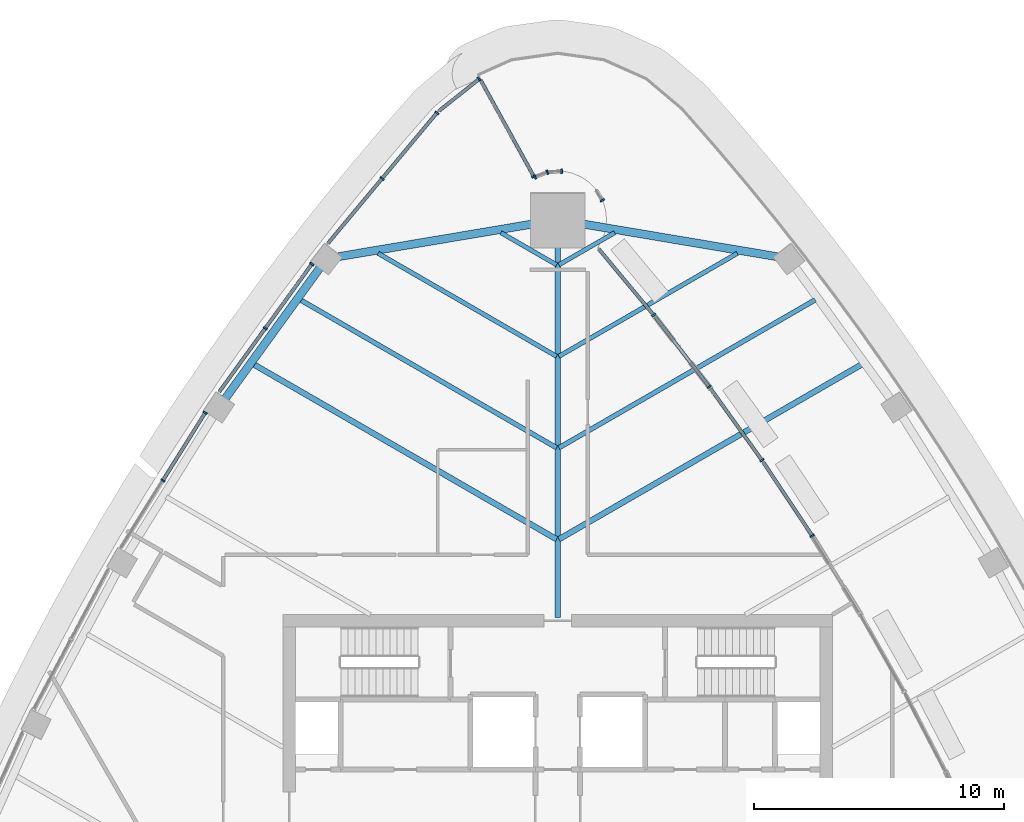
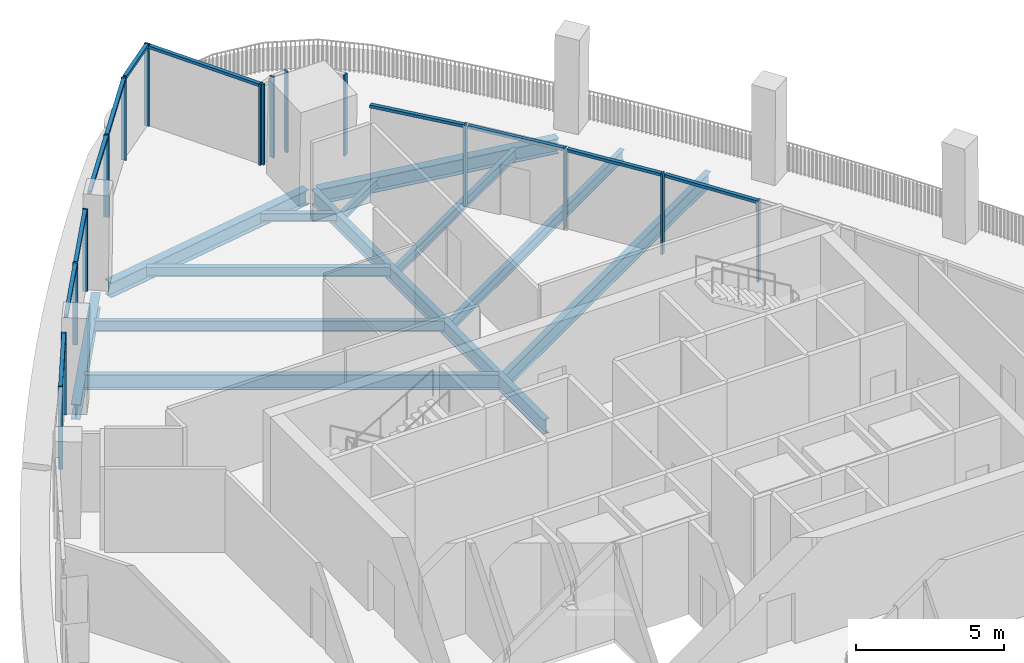
# One storey, part 6 of 18: 27 members, 12 beams, 12 elements without a shape of their own.
"""IFC4 building model written with IfcOpenShell, lengths in metres."""

from ifc_helpers import new_model, si_unit, direction, frame, origin, origin_2d, place, context, subcontext, project, spatial, rectangle, i_section, extrude, material, layer, layer_set, material_profile, profile_set, type_object, element, aggregate, save


model = new_model("IFC4")

# Units and contexts
model_context = context("Model", 3, precision=1e-05, world=origin(), true_north=direction((0.0, 1.0)))
body_context = subcontext(model_context, "Body", "Model", "MODEL_VIEW")
ifc_project = project(units=[si_unit("LENGTHUNIT", "METRE"), si_unit("AREAUNIT", "SQUARE_METRE"), si_unit("VOLUMEUNIT", "CUBIC_METRE"), si_unit("PLANEANGLEUNIT", "RADIAN"), si_unit("MASSUNIT", "GRAM", prefix="KILO")], contexts=[model_context])

# Site, building, storey
site_placement = place(None, origin())
site = spatial("IfcSite", under=ifc_project, at=site_placement, CompositionType="ELEMENT")
building_placement = place(site_placement, origin())
building = spatial("IfcBuilding", under=site, at=building_placement, Name="Sierra Prisma Convention Tower", CompositionType="ELEMENT")
storey_placement = place(building_placement, frame((0.0, 0.0, 291.0)))
storey = spatial("IfcBuildingStorey", under=building, at=storey_placement, Name="L66", CompositionType="ELEMENT", Elevation=291.0)

# Curtain wall, member
ifc_material_1 = material(Name="Aluminium and glass curtain wall", Category="aluminium")
ifc_layer_1 = layer(ifc_material_1, 0.179931640625)
ifc_layer_set_1 = layer_set([ifc_layer_1], Name="CW-1 Plain shaft curtain wall")
curtain_wall_type_1 = type_object("IfcCurtainWallType", Name="CW-1 Plain shaft curtain wall", PredefinedType="NOTDEFINED", material=ifc_layer_set_1)
curtain_wall_1_placement = place(storey_placement, origin())
curtain_wall_1 = element("IfcCurtainWall", 1, at=curtain_wall_1_placement, inside=storey, type_object=curtain_wall_type_1, Name="CW-1 N5 L66", PredefinedType="NOTDEFINED")
ifc_material_2 = material(Name="Aluminium 6063-T6 bronze anodised", Category="aluminium")
ifc_material_profile_1 = material_profile(ifc_material_2, rectangle(XDim=0.179931640625, YDim=0.070068359375, at=origin_2d()), Name="ALU MULLION 70x180")
ifc_profile_set_1 = profile_set([ifc_material_profile_1], Name="Aluminium 6063-T6 bronze anodised")
member_type_1 = type_object("IfcMemberType", Name="CW mullion bronze", PredefinedType="MULLION", material=ifc_profile_set_1)
member_1_placement = place(storey_placement, frame((-3.151611328125, 29.44970703125, 0.0), z_axis=(0.0, 0.0, 1.0), x_axis=(0.622999472433, -0.782222255723, 0.0)))
member_1 = element("IfcMember", 2, at=member_1_placement, type_object=member_type_1, Name="CW-1 mullion N5.1", PredefinedType="MULLION", context=body_context, shape_type="SweptSolid", body=[
    extrude(rectangle(XDim=0.179931640625, YDim=0.070068359375, at=origin_2d()), origin(), (0.0, 0.0, 1.0), 3.39990234375),
])

# Curtain wall, members
curtain_wall_2_placement = place(storey_placement, origin())
curtain_wall_2 = element("IfcCurtainWall", 3, at=curtain_wall_2_placement, inside=storey, type_object=curtain_wall_type_1, Name="CW-1 NW1 L66", PredefinedType="NOTDEFINED")
member_2_placement = place(storey_placement, frame((-4.839111328125, 28.0966796875, 0.0), z_axis=(0.0, 0.0, 1.0), x_axis=(0.767625647554, -0.64089848277, 0.0)))
member_2 = element("IfcMember", 4, at=member_2_placement, type_object=member_type_1, Name="CW-1 mullion NW1.1", PredefinedType="MULLION", context=body_context, shape_type="SweptSolid", body=[
    extrude(rectangle(XDim=0.179931640625, YDim=0.070068359375, at=origin_2d()), origin(), (0.0, 0.0, 1.0), 3.39990234375),
])
member_3_placement = place(storey_placement, frame((-7.033203125, 25.468994140625, 0.0), z_axis=(0.0, 0.0, 1.0), x_axis=(0.767625647554, -0.64089848277, 0.0)))
member_3 = element("IfcMember", 5, at=member_3_placement, type_object=member_type_1, Name="CW-1 mullion NW1.2", PredefinedType="MULLION", context=body_context, shape_type="SweptSolid", body=[
    extrude(rectangle(XDim=0.179931640625, YDim=0.070068359375, at=origin_2d()), origin(), (0.0, 0.0, 1.0), 3.39990234375),
])

curtain_wall_3_placement = place(storey_placement, origin())
curtain_wall_3 = element("IfcCurtainWall", 6, at=curtain_wall_3_placement, inside=storey, type_object=curtain_wall_type_1, Name="CW-1 NW2 L66", PredefinedType="NOTDEFINED")
member_4_placement = place(storey_placement, frame((-9.84814453125, 22.04052734375, 0.0), z_axis=(0.0, 0.0, 1.0), x_axis=(0.809884928448, -0.586588784987, 0.0)))
member_4 = element("IfcMember", 7, at=member_4_placement, type_object=member_type_1, Name="CW-1 mullion NW2.1", PredefinedType="MULLION", context=body_context, shape_type="SweptSolid", body=[
    extrude(rectangle(XDim=0.179931640625, YDim=0.070068359375, at=origin_2d()), origin(), (0.0, 0.0, 1.0), 3.39990234375),
])
member_5_placement = place(storey_placement, frame((-11.71142578125, 19.468017578125, 0.0), z_axis=(0.0, 0.0, 1.0), x_axis=(0.809884928448, -0.586588784987, 0.0)))
member_5 = element("IfcMember", 8, at=member_5_placement, type_object=member_type_1, Name="CW-1 mullion NW2.2", PredefinedType="MULLION", context=body_context, shape_type="SweptSolid", body=[
    extrude(rectangle(XDim=0.179931640625, YDim=0.070068359375, at=origin_2d()), origin(), (0.0, 0.0, 1.0), 3.39990234375),
])

curtain_wall_4_placement = place(storey_placement, origin())
curtain_wall_4 = element("IfcCurtainWall", 9, at=curtain_wall_4_placement, inside=storey, type_object=curtain_wall_type_1, Name="CW-1 NW3 L66", PredefinedType="NOTDEFINED")
member_6_placement = place(storey_placement, frame((-14.122314453125, 16.0810546875, 0.0), z_axis=(0.0, 0.0, 1.0), x_axis=(0.848309088273, -0.529501360482, 0.0)))
member_6 = element("IfcMember", 10, at=member_6_placement, type_object=member_type_1, Name="CW-1 mullion NW3.1", PredefinedType="MULLION", context=body_context, shape_type="SweptSolid", body=[
    extrude(rectangle(XDim=0.179931640625, YDim=0.070068359375, at=origin_2d()), origin(), (0.0, 0.0, 1.0), 3.39990234375),
])
member_7_placement = place(storey_placement, frame((-15.8125, 13.373046875, 0.0), z_axis=(0.0, 0.0, 1.0), x_axis=(0.848309088273, -0.529501360482, 0.0)))
member_7 = element("IfcMember", 11, at=member_7_placement, type_object=member_type_1, Name="CW-1 mullion NW3.2", PredefinedType="MULLION", context=body_context, shape_type="SweptSolid", body=[
    extrude(rectangle(XDim=0.179931640625, YDim=0.070068359375, at=origin_2d()), origin(), (0.0, 0.0, 1.0), 3.39990234375),
])

# Curtain wall, member
ifc_material_3 = material(Name="Aluminium and glass curtain wall", Category="aluminium")
ifc_layer_2 = layer(ifc_material_3, 0.179931640625)
ifc_layer_set_2 = layer_set([ifc_layer_2], Name="CW-6 Terrace recess curtain wall")
curtain_wall_type_2 = type_object("IfcCurtainWallType", Name="CW-6 Terrace recess curtain wall", PredefinedType="NOTDEFINED", material=ifc_layer_set_2)
curtain_wall_5_placement = place(storey_placement, origin())
curtain_wall_5 = element("IfcCurtainWall", 12, at=curtain_wall_5_placement, inside=storey, type_object=curtain_wall_type_2, Name="CW-6 R7 L66", PredefinedType="NOTDEFINED")
member_8_placement = place(storey_placement, frame((10.188720703125, 11.15869140625, 0.0), z_axis=(0.0, 0.0, 1.0), x_axis=(-0.832915219617, -0.553400611611, 0.0)))
member_8 = element("IfcMember", 13, at=member_8_placement, type_object=member_type_1, Name="CW-6 mullion R7.1", PredefinedType="MULLION", context=body_context, shape_type="SweptSolid", body=[
    extrude(rectangle(XDim=0.179931640625, YDim=0.070068359375, at=origin_2d()), origin(), (0.0, 0.0, 1.0), 3.340087890625),
])

curtain_wall_6_placement = place(storey_placement, origin())
curtain_wall_6 = element("IfcCurtainWall", 14, at=curtain_wall_6_placement, inside=storey, type_object=curtain_wall_type_2, Name="CW-6 R8 L66", PredefinedType="NOTDEFINED")
member_9_placement = place(storey_placement, frame((8.179443359375, 14.18017578125, 0.0), z_axis=(0.0, 0.0, 1.0), x_axis=(-0.812509820616, -0.582947503127, 0.0)))
member_9 = element("IfcMember", 15, at=member_9_placement, type_object=member_type_1, Name="CW-6 mullion R8.1", PredefinedType="MULLION", context=body_context, shape_type="SweptSolid", body=[
    extrude(rectangle(XDim=0.179931640625, YDim=0.070068359375, at=origin_2d()), origin(), (0.0, 0.0, 1.0), 3.340087890625),
])

curtain_wall_7_placement = place(storey_placement, origin())
curtain_wall_7 = element("IfcCurtainWall", 16, at=curtain_wall_7_placement, inside=storey, type_object=curtain_wall_type_2, Name="CW-6 R9 L66", PredefinedType="NOTDEFINED")
member_10_placement = place(storey_placement, frame((6.063232421875, 17.127685546875, 0.0), z_axis=(0.0, 0.0, 1.0), x_axis=(-0.791056772179, -0.611742742654, 0.0)))
member_10 = element("IfcMember", 17, at=member_10_placement, type_object=member_type_1, Name="CW-6 mullion R9.1", PredefinedType="MULLION", context=body_context, shape_type="SweptSolid", body=[
    extrude(rectangle(XDim=0.179931640625, YDim=0.070068359375, at=origin_2d()), origin(), (0.0, 0.0, 1.0), 3.340087890625),
])

curtain_wall_8_placement = place(storey_placement, origin())
curtain_wall_8 = element("IfcCurtainWall", 18, at=curtain_wall_8_placement, inside=storey, type_object=curtain_wall_type_2, Name="CW-6 R10 L66", PredefinedType="NOTDEFINED")
member_11_placement = place(storey_placement, frame((3.842529296875, 19.997314453125, 0.0), z_axis=(0.0, 0.0, 1.0), x_axis=(-0.768727033236, -0.639577007382, 0.0)))
member_11 = element("IfcMember", 19, at=member_11_placement, type_object=member_type_1, Name="CW-6 mullion R10.1", PredefinedType="MULLION", context=body_context, shape_type="SweptSolid", body=[
    extrude(rectangle(XDim=0.179931640625, YDim=0.070068359375, at=origin_2d()), origin(), (0.0, 0.0, 1.0), 3.340087890625),
])

curtain_wall_9_placement = place(storey_placement, origin())
curtain_wall_9 = element("IfcCurtainWall", 20, at=curtain_wall_9_placement, inside=storey, type_object=curtain_wall_type_2, Name="CW-6 R16 L66", PredefinedType="NOTDEFINED")
member_12_placement = place(storey_placement, frame((1.788818359375, 24.5908203125, 0.0), z_axis=(0.0, 0.0, 1.0), x_axis=(-0.85772861, -0.514102744193, 0.0)))
member_12 = element("IfcMember", 21, at=member_12_placement, type_object=member_type_1, Name="CW-6 mullion R16.1", PredefinedType="MULLION", context=body_context, shape_type="SweptSolid", body=[
    extrude(rectangle(XDim=0.179931640625, YDim=0.070068359375, at=origin_2d()), origin(), (0.0, 0.0, 1.0), 3.340087890625),
])
aggregate(curtain_wall_9, [member_12])

curtain_wall_10_placement = place(storey_placement, origin())
curtain_wall_10 = element("IfcCurtainWall", 22, at=curtain_wall_10_placement, inside=storey, type_object=curtain_wall_type_2, Name="CW-6 R21 L66", PredefinedType="NOTDEFINED")
member_13_placement = place(storey_placement, frame((0.15673828125, 25.7568359375, 0.0), z_axis=(0.0, 0.0, 1.0), x_axis=(0.049067674327, -0.998795456205, 0.0)))
member_13 = element("IfcMember", 23, at=member_13_placement, type_object=member_type_1, Name="CW-6 mullion R21.1", PredefinedType="MULLION", context=body_context, shape_type="SweptSolid", body=[
    extrude(rectangle(XDim=0.179931640625, YDim=0.070068359375, at=origin_2d()), origin(), (0.0, 0.0, 1.0), 3.340087890625),
])
aggregate(curtain_wall_10, [member_13])

# Curtain wall, members
curtain_wall_11_placement = place(storey_placement, origin())
curtain_wall_11 = element("IfcCurtainWall", 24, at=curtain_wall_11_placement, inside=storey, type_object=curtain_wall_type_2, Name="CW-6 R22 L66", PredefinedType="NOTDEFINED")
member_14_placement = place(storey_placement, frame((-0.414306640625, 25.718017578125, 0.0), z_axis=(0.0, 0.0, 1.0), x_axis=(0.357542988207, -0.933896681429, 0.0)))
member_14 = element("IfcMember", 25, at=member_14_placement, type_object=member_type_1, Name="CW-6 mullion R22.1", PredefinedType="MULLION", context=body_context, shape_type="SweptSolid", body=[
    extrude(rectangle(XDim=0.179931640625, YDim=0.070068359375, at=origin_2d()), origin(), (0.0, 0.0, 1.0), 3.340087890625),
])
member_15_placement = place(storey_placement, frame((-0.907958984375, 25.52880859375, 0.0), z_axis=(0.0, 0.0, 1.0), x_axis=(0.357542988207, -0.933896681429, 0.0)))
member_15 = element("IfcMember", 26, at=member_15_placement, type_object=member_type_1, Name="CW-6 mullion R22.2", PredefinedType="MULLION", context=body_context, shape_type="SweptSolid", body=[
    extrude(rectangle(XDim=0.179931640625, YDim=0.070068359375, at=origin_2d()), origin(), (0.0, 0.0, 1.0), 3.340087890625),
])
aggregate(curtain_wall_11, [member_14, member_15])

# Curtain wall, member
curtain_wall_12_placement = place(storey_placement, origin())
curtain_wall_12 = element("IfcCurtainWall", 27, at=curtain_wall_12_placement, inside=storey, type_object=curtain_wall_type_2, Name="CW-6 RT2 L66", PredefinedType="NOTDEFINED")
member_16_placement = place(storey_placement, frame((-0.95751953125, 25.547119140625, 0.0), z_axis=(0.0, 0.0, 1.0), x_axis=(-0.875450793272, -0.483307261026, 0.0)))
member_16 = element("IfcMember", 28, at=member_16_placement, type_object=member_type_1, Name="CW-6 mullion RT2.1", PredefinedType="MULLION", context=body_context, shape_type="SweptSolid", body=[
    extrude(rectangle(XDim=0.179931640625, YDim=0.070068359375, at=origin_2d()), origin(), (0.0, 0.0, 1.0), 3.340087890625),
])

# Member
ifc_material_4 = material(Name="Aluminium 6063-T6 bronze anodised", Category="aluminium")
ifc_material_profile_2 = material_profile(ifc_material_4, rectangle(XDim=0.139892578125, YDim=0.1201171875, at=origin_2d()), Name="ALU TRANSOM 120x140")
ifc_profile_set_2 = profile_set([ifc_material_profile_2], Name="Aluminium 6063-T6 bronze anodised")
member_type_2 = type_object("IfcMemberType", Name="CW transom bronze", PredefinedType="USERDEFINED", material=ifc_profile_set_2)
member_17_placement = place(storey_placement, frame((-3.178955078125, 29.427978515625, 3.340087890625), z_axis=(-0.782232240534, -0.622986935552, 0.0), x_axis=(0.622986935552, -0.782232240534, 0.0)))
member_17 = element("IfcMember", 29, at=member_17_placement, type_object=member_type_2, Name="CW-1 transom N5.1", ObjectType="TRANSOM", PredefinedType="USERDEFINED", context=body_context, shape_type="SweptSolid", body=[
    extrude(rectangle(XDim=0.139892578125, YDim=0.1201171875, at=origin_2d()), origin(), (0.0, 0.0, 1.0), 2.023681640625),
])

aggregate(curtain_wall_1, [member_1, member_17])

member_18_placement = place(storey_placement, frame((-4.861572265625, 28.06982421875, 3.340087890625), z_axis=(-0.640921724985, -0.767606241795, 0.0), x_axis=(0.767606241795, -0.640921724985, 0.0)))
member_18 = element("IfcMember", 30, at=member_18_placement, type_object=member_type_2, Name="CW-1 transom NW1.1", ObjectType="TRANSOM", PredefinedType="USERDEFINED", context=body_context, shape_type="SweptSolid", body=[
    extrude(rectangle(XDim=0.139892578125, YDim=0.1201171875, at=origin_2d()), origin(), (0.0, 0.0, 1.0), 3.353271484375),
])

member_19_placement = place(storey_placement, frame((-7.055419921875, 25.442138671875, 3.340087890625), z_axis=(-0.640885906933, -0.767636147074, 0.0), x_axis=(0.767636147074, -0.640885906933, 0.0)))
member_19 = element("IfcMember", 31, at=member_19_placement, type_object=member_type_2, Name="CW-1 transom NW1.2", ObjectType="TRANSOM", PredefinedType="USERDEFINED", context=body_context, shape_type="SweptSolid", body=[
    extrude(rectangle(XDim=0.139892578125, YDim=0.1201171875, at=origin_2d()), origin(), (0.0, 0.0, 1.0), 3.353515625),
])

aggregate(curtain_wall_2, [member_2, member_3, member_18, member_19])

member_20_placement = place(storey_placement, frame((-9.86865234375, 22.01220703125, 3.340087890625), z_axis=(-0.586548924678, -0.80991379724, 0.0), x_axis=(0.80991379724, -0.586548924678, 0.0)))
member_20 = element("IfcMember", 32, at=member_20_placement, type_object=member_type_2, Name="CW-1 transom NW2.1", ObjectType="TRANSOM", PredefinedType="USERDEFINED", context=body_context, shape_type="SweptSolid", body=[
    extrude(rectangle(XDim=0.139892578125, YDim=0.1201171875, at=origin_2d()), origin(), (0.0, 0.0, 1.0), 3.1064453125),
])

member_21_placement = place(storey_placement, frame((-11.73193359375, 19.439697265625, 3.340087890625), z_axis=(-0.586548924678, -0.80991379724, 0.0), x_axis=(0.80991379724, -0.586548924678, 0.0)))
member_21 = element("IfcMember", 33, at=member_21_placement, type_object=member_type_2, Name="CW-1 transom NW2.2", ObjectType="TRANSOM", PredefinedType="USERDEFINED", context=body_context, shape_type="SweptSolid", body=[
    extrude(rectangle(XDim=0.139892578125, YDim=0.1201171875, at=origin_2d()), origin(), (0.0, 0.0, 1.0), 3.1064453125),
])

aggregate(curtain_wall_3, [member_4, member_5, member_20, member_21])

member_22_placement = place(storey_placement, frame((-14.140869140625, 16.05126953125, 3.340087890625), z_axis=(-0.529492741723, -0.848314467909, 0.0), x_axis=(0.848314467909, -0.529492741723, 0.0)))
member_22 = element("IfcMember", 34, at=member_22_placement, type_object=member_type_2, Name="CW-1 transom NW3.1", ObjectType="TRANSOM", PredefinedType="USERDEFINED", context=body_context, shape_type="SweptSolid", body=[
    extrude(rectangle(XDim=0.139892578125, YDim=0.1201171875, at=origin_2d()), origin(), (0.0, 0.0, 1.0), 3.1220703125),
])

aggregate(curtain_wall_4, [member_6, member_7, member_22])

member_23_placement = place(storey_placement, frame((10.169189453125, 11.187744140625, 3.280029296875), z_axis=(-0.553359024435, 0.832942849226, 0.0), x_axis=(-0.832942849226, -0.553359024435, 0.0)))
member_23 = element("IfcMember", 35, at=member_23_placement, type_object=member_type_2, Name="CW-6 transom R7.1", ObjectType="TRANSOM", PredefinedType="USERDEFINED", context=body_context, shape_type="SweptSolid", body=[
    extrude(rectangle(XDim=0.139892578125, YDim=0.1201171875, at=origin_2d()), origin(), (0.0, 0.0, 1.0), 3.488525390625),
])

aggregate(curtain_wall_5, [member_8, member_23])

member_24_placement = place(storey_placement, frame((8.1591796875, 14.20849609375, 3.280029296875), z_axis=(-0.582958096123, 0.812502220406, 0.0), x_axis=(-0.812502220406, -0.582958096123, 0.0)))
member_24 = element("IfcMember", 36, at=member_24_placement, type_object=member_type_2, Name="CW-6 transom R8.1", ObjectType="TRANSOM", PredefinedType="USERDEFINED", context=body_context, shape_type="SweptSolid", body=[
    extrude(rectangle(XDim=0.139892578125, YDim=0.1201171875, at=origin_2d()), origin(), (0.0, 0.0, 1.0), 3.488525390625),
])

aggregate(curtain_wall_6, [member_9, member_24])

member_25_placement = place(storey_placement, frame((6.0419921875, 17.1552734375, 3.280029296875), z_axis=(-0.611758150718, 0.791044856522, 0.0), x_axis=(-0.791044856522, -0.611758150718, 0.0)))
member_25 = element("IfcMember", 37, at=member_25_placement, type_object=member_type_2, Name="CW-6 transom R9.1", ObjectType="TRANSOM", PredefinedType="USERDEFINED", context=body_context, shape_type="SweptSolid", body=[
    extrude(rectangle(XDim=0.139892578125, YDim=0.1201171875, at=origin_2d()), origin(), (0.0, 0.0, 1.0), 3.48876953125),
])

aggregate(curtain_wall_7, [member_10, member_25])

member_26_placement = place(storey_placement, frame((3.8203125, 20.024169921875, 3.280029296875), z_axis=(-0.639605099878, 0.768703659553, 0.0), x_axis=(-0.768703659553, -0.639605099878, 0.0)))
member_26 = element("IfcMember", 38, at=member_26_placement, type_object=member_type_2, Name="CW-6 transom R10.1", ObjectType="TRANSOM", PredefinedType="USERDEFINED", context=body_context, shape_type="SweptSolid", body=[
    extrude(rectangle(XDim=0.139892578125, YDim=0.1201171875, at=origin_2d()), origin(), (0.0, 0.0, 1.0), 3.400146484375),
])

aggregate(curtain_wall_8, [member_11, member_26])

member_27_placement = place(storey_placement, frame((-0.974609375, 25.57763671875, 3.280029296875), z_axis=(-0.483292574599, 0.875458900999, 0.0), x_axis=(-0.875458900999, -0.483292574599, 0.0)))
member_27 = element("IfcMember", 39, at=member_27_placement, type_object=member_type_2, Name="CW-6 transom RT2.1", ObjectType="TRANSOM", PredefinedType="USERDEFINED", context=body_context, shape_type="SweptSolid", body=[
    extrude(rectangle(XDim=0.139892578125, YDim=0.1201171875, at=origin_2d()), origin(), (0.0, 0.0, 1.0), 4.377685546875),
])

aggregate(curtain_wall_12, [member_16, member_27])

# Beams
ifc_material_5 = material(Name="Steel ASTM A992 Gr 50", Category="steel")
ifc_material_profile_3 = material_profile(ifc_material_5, i_section(OverallWidth=0.172119140625, OverallDepth=0.35791015625, WebThickness=0.0078125, FlangeThickness=0.01318359375, at=origin_2d()), Name="W360x57")
ifc_profile_set_3 = profile_set([ifc_material_profile_3], Name="Steel ASTM A992 Gr 50")
beam_type_1 = type_object("IfcBeamType", Name="Floor joist W360x57", PredefinedType="JOIST", material=ifc_profile_set_3)
for number, where, z_axis, x_axis, name in (
    (40, (2.279052734375, 23.29638671875, -0.47900390625), (-0.866067339153, -0.499927358776, 0.0), (0.499927358776, -0.866067339153, 0.0), "Floor joist L66 NE13"),
    (41, (-2.279052734375, 23.29638671875, -0.3291015625), (0.866067339153, -0.499927358776, 0.0), (0.499927358776, 0.866067339153, 0.0), "Floor joist L66 NW01"),
):
    element("IfcBeam", number, at=place(storey_placement, frame(where, z_axis=z_axis, x_axis=x_axis)), inside=storey, type_object=beam_type_1, Name=name, PredefinedType="JOIST", context=body_context, shape_type="SweptSolid", body=[
        extrude(i_section(OverallWidth=0.172119140625, OverallDepth=0.35791015625, WebThickness=0.0078125, FlangeThickness=0.01318359375, at=origin_2d()), origin(), (0.0, 0.0, 1.0), 2.57861328125),
    ])
ifc_material_6 = material(Name="Steel ASTM A992 Gr 50", Category="steel")
ifc_material_profile_4 = material_profile(ifc_material_6, i_section(OverallWidth=0.177978515625, OverallDepth=0.406982421875, WebThickness=0.0078125, FlangeThickness=0.0126953125, at=origin_2d()), Name="W410x60")
ifc_profile_set_4 = profile_set([ifc_material_profile_4], Name="Steel ASTM A992 Gr 50")
beam_type_2 = type_object("IfcBeamType", Name="Floor joist W410x60", PredefinedType="JOIST", material=ifc_profile_set_4)
for number, where, z_axis, x_axis, name in (
    (42, (7.192138671875, 22.4697265625, -0.50341796875), (-0.866020532005, -0.500008438075, 0.0), (0.500008438075, -0.866020532005, 0.0), "Floor joist L66 NE12"),
    (43, (-7.192138671875, 22.4697265625, -0.353515625), (0.866020532005, -0.500008438075, 0.0), (0.500008438075, 0.866020532005, 0.0), "Floor joist L66 NW02"),
):
    element("IfcBeam", number, at=place(storey_placement, frame(where, z_axis=z_axis, x_axis=x_axis)), inside=storey, type_object=beam_type_2, Name=name, PredefinedType="JOIST", context=body_context, shape_type="SweptSolid", body=[
        extrude(i_section(OverallWidth=0.177978515625, OverallDepth=0.406982421875, WebThickness=0.0078125, FlangeThickness=0.0126953125, at=origin_2d()), origin(), (0.0, 0.0, 1.0), 8.251708984375),
    ])
ifc_material_7 = material(Name="Steel ASTM A992 Gr 50", Category="steel")
ifc_material_profile_5 = material_profile(ifc_material_7, i_section(OverallWidth=0.18994140625, OverallDepth=0.45703125, WebThickness=0.009033203125, FlangeThickness=0.014404296875, at=origin_2d()), Name="W460x74")
ifc_profile_set_5 = profile_set([ifc_material_profile_5], Name="Steel ASTM A992 Gr 50")
beam_type_3 = type_object("IfcBeamType", Name="Floor joist W460x74", PredefinedType="JOIST", material=ifc_profile_set_5)
for number, where, z_axis, x_axis, name in (
    (44, (10.314208984375, 20.608642578125, -0.528564453125), (-0.866032313442, -0.499988031931, 0.0), (0.499988031931, -0.866032313442, 0.0), "Floor joist L66 NE11"),
    (45, (-10.314208984375, 20.608642578125, -0.37841796875), (0.866032313442, -0.499988031931, 0.0), (0.499988031931, 0.866032313442, 0.0), "Floor joist L66 NW03"),
):
    element("IfcBeam", number, at=place(storey_placement, frame(where, z_axis=z_axis, x_axis=x_axis)), inside=storey, type_object=beam_type_3, Name=name, PredefinedType="JOIST", context=body_context, shape_type="SweptSolid", body=[
        extrude(i_section(OverallWidth=0.18994140625, OverallDepth=0.45703125, WebThickness=0.009033203125, FlangeThickness=0.014404296875, at=origin_2d()), origin(), (0.0, 0.0, 1.0), 11.856689453125),
    ])
ifc_material_8 = material(Name="Steel ASTM A992 Gr 50", Category="steel")
ifc_material_profile_6 = material_profile(ifc_material_8, i_section(OverallWidth=0.22802734375, OverallDepth=0.60302734375, WebThickness=0.010498046875, FlangeThickness=0.014892578125, at=origin_2d()), Name="W610x101")
ifc_profile_set_6 = profile_set([ifc_material_profile_6], Name="Steel ASTM A992 Gr 50")
beam_type_4 = type_object("IfcBeamType", Name="Floor joist W610x101", PredefinedType="JOIST", material=ifc_profile_set_6)
for number, where, z_axis, x_axis, name in (
    (46, (12.18505859375, 18.025390625, -0.6015625), (-0.866025479842, -0.499999868264, 0.0), (0.499999868264, -0.866025479842, 0.0), "Floor joist L66 NE10"),
    (47, (-12.18505859375, 18.025390625, -0.451416015625), (0.866025479842, -0.499999868264, 0.0), (0.499999868264, 0.866025479842, 0.0), "Floor joist L66 NW04"),
):
    element("IfcBeam", number, at=place(storey_placement, frame(where, z_axis=z_axis, x_axis=x_axis)), inside=storey, type_object=beam_type_4, Name=name, PredefinedType="JOIST", context=body_context, shape_type="SweptSolid", body=[
        extrude(i_section(OverallWidth=0.22802734375, OverallDepth=0.60302734375, WebThickness=0.010498046875, FlangeThickness=0.014892578125, at=origin_2d()), origin(), (0.0, 0.0, 1.0), 14.01708984375),
    ])
ifc_material_9 = material(Name="Steel ASTM A992 Gr 50", Category="steel")
ifc_material_profile_7 = material_profile(ifc_material_9, i_section(OverallWidth=0.22998046875, OverallDepth=0.616943359375, WebThickness=0.01318359375, FlangeThickness=0.022216796875, at=origin_2d()), Name="W610x140")
ifc_profile_set_7 = profile_set([ifc_material_profile_7], Name="Steel ASTM A992 Gr 50")
beam_type_5 = type_object("IfcBeamType", Name="Radial girder W610x140", PredefinedType="BEAM", material=ifc_profile_set_7)
beam_1_placement = place(storey_placement, frame((0.0, 23.59228515625, -0.45849609375), z_axis=(0.0, -1.0, 0.0), x_axis=(1.0, 0.0, 0.0)))
element("IfcBeam", 48, at=beam_1_placement, inside=storey, type_object=beam_type_5, Name="Radial girder L66 N", PredefinedType="BEAM", context=body_context, shape_type="SweptSolid", body=[
    extrude(i_section(OverallWidth=0.22998046875, OverallDepth=0.616943359375, WebThickness=0.01318359375, FlangeThickness=0.022216796875, at=origin_2d()), origin(), (0.0, 0.0, 1.0), 15.71240234375),
])
ifc_material_10 = material(Name="Steel ASTM A992 Gr 50", Category="steel")
ifc_material_profile_8 = material_profile(ifc_material_10, i_section(OverallWidth=0.324951171875, OverallDepth=0.615966796875, WebThickness=0.013916015625, FlangeThickness=0.021484375, at=origin_2d()), Name="W610x174")
ifc_profile_set_8 = profile_set([ifc_material_profile_8], Name="Steel ASTM A992 Gr 50")
beam_type_6 = type_object("IfcBeamType", Name="Spandrel beam W610x174", PredefinedType="BEAM", material=ifc_profile_set_8)
for number, where, z_axis, x_axis, name in (
    (49, (8.777587890625, 22.33544921875, -0.60791015625), (-0.986137249674, 0.165931687167, 0.0), (-0.165931687167, -0.986137249674, 0.0), "Spandrel L66-12"),
    (50, (-0.219970703125, 23.775390625, -0.4580078125), (-0.986137249674, -0.165931687167, 0.0), (0.165931687167, -0.986137249674, 0.0), "Spandrel L66-13"),
):
    element("IfcBeam", number, at=place(storey_placement, frame(where, z_axis=z_axis, x_axis=x_axis)), inside=storey, type_object=beam_type_6, Name=name, PredefinedType="BEAM", context=body_context, shape_type="SweptSolid", body=[
        extrude(i_section(OverallWidth=0.324951171875, OverallDepth=0.615966796875, WebThickness=0.013916015625, FlangeThickness=0.021484375, at=origin_2d()), origin(), (0.0, 0.0, 1.0), 8.677978515625),
    ])
beam_2_placement = place(storey_placement, frame((-9.455322265625, 21.986328125, -0.4580078125), z_axis=(-0.586599896772, -0.809876880215, 0.0), x_axis=(0.809876880215, -0.586599896772, 0.0)))
element("IfcBeam", 51, at=beam_2_placement, inside=storey, type_object=beam_type_6, Name="Spandrel L66-14", PredefinedType="BEAM", context=body_context, shape_type="SweptSolid", body=[
    extrude(i_section(OverallWidth=0.324951171875, OverallDepth=0.615966796875, WebThickness=0.013916015625, FlangeThickness=0.021484375, at=origin_2d()), origin(), (0.0, 0.0, 1.0), 6.68212890625),
])

save(model, "model.ifc")
